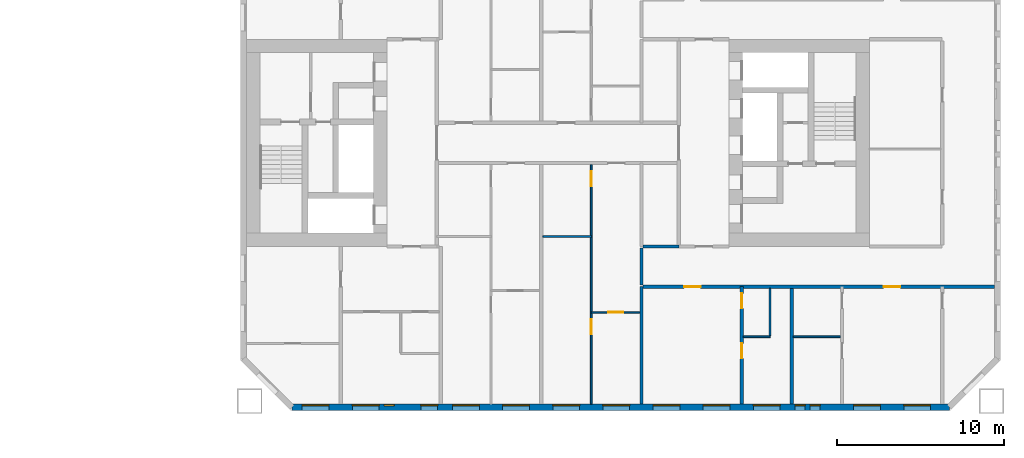
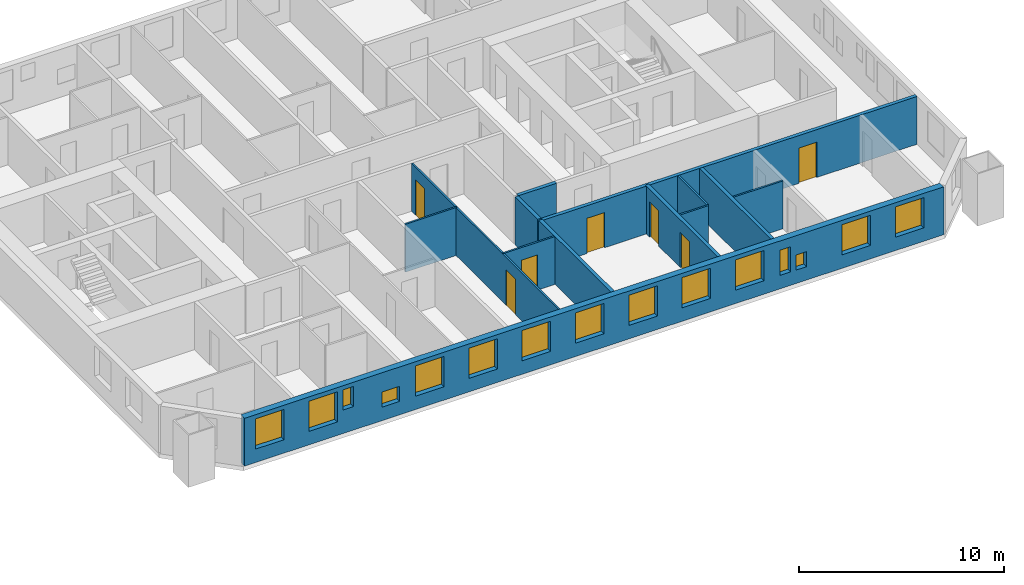
# One storey, part 11 of 17: 15 windows, 13 walls, 7 doors, 22 openings.
"""IFC4 building model written with IfcOpenShell, lengths in metres."""

import ifcopenshell
import ifcopenshell.guid

model = None  # the IFC model being written
_history = None  # IfcOwnerHistory: only IFC2X3 demands one
_inside = {}  # id of a spatial element -> (the spatial element, [elements in it])
_under = {}  # id of a project, library or spatial element -> (it, [spatial elements below it])
_declared = {}  # id of a project -> (the project, [libraries it declares])
_typed = {}  # id of a type object -> (the type object, [elements of that type])
_made_of = {}  # id of a material, layer set ... -> (it, [elements and type objects made of it])


def new_model(schema):
    """Start an empty IFC model of exactly this schema.

    Asked for "IFC4X3", IfcOpenShell would pick the latest addendum, in which some entities
    have other attributes; the version numbers below select the first issue.
    IFC2X3 requires an IfcOwnerHistory on every rooted entity: one is made here for all.
    """
    global model, _history
    if schema == "IFC4X3":
        model = ifcopenshell.file(schema_version=(4, 3, 0, 0))
    else:
        model = ifcopenshell.file(schema=schema)
    _inside.clear()
    _under.clear()
    _declared.clear()
    _typed.clear()
    _made_of.clear()
    _history = None
    if model.schema == "IFC2X3":
        org = make("IfcOrganization", Name="unknown")
        user = make(
            "IfcPersonAndOrganization",
            ThePerson=make("IfcPerson", FamilyName="unknown"),
            TheOrganization=org,
        )
        app = make(
            "IfcApplication",
            ApplicationDeveloper=org,
            Version="unknown",
            ApplicationFullName="unknown",
            ApplicationIdentifier="unknown",
        )
        _history = make(
            "IfcOwnerHistory",
            OwningUser=user,
            OwningApplication=app,
            ChangeAction="ADDED",
            CreationDate=0,
        )
    return model


def make(cls, **values):
    """One entity of the class cls with the attributes given. An attribute that is None is left unset."""
    return model.create_entity(
        cls, **{name: value for name, value in values.items() if value is not None}
    )


def rooted(cls, **values):
    """An entity with a GlobalId (a new one), such as an element, a storey or a relation."""
    return make(cls, GlobalId=ifcopenshell.guid.new(), OwnerHistory=_history, **values)


def si_unit(unit_type, name, prefix=None):
    """IfcSIUnit, for example si_unit("LENGTHUNIT", "METRE", prefix="MILLI")."""
    return make("IfcSIUnit", UnitType=unit_type, Prefix=prefix, Name=name)


def assignment(units):
    """IfcUnitAssignment: the units of a project."""
    return None if units is None else make("IfcUnitAssignment", Units=units)


def point(xyz):
    """IfcCartesianPoint."""
    return None if xyz is None else make("IfcCartesianPoint", Coordinates=xyz)


def direction(xyz):
    """IfcDirection."""
    return None if xyz is None else make("IfcDirection", DirectionRatios=xyz)


def frame(location, z_axis=None, x_axis=None):
    """IfcAxis2Placement3D, a coordinate frame: its origin and axes. An axis left out is left unset."""
    return make(
        "IfcAxis2Placement3D",
        Location=point(location),
        Axis=direction(z_axis),
        RefDirection=direction(x_axis),
    )


def frame_2d(location, x_axis=None):
    """IfcAxis2Placement2D, a coordinate frame in the plane: its origin and x axis."""
    return make(
        "IfcAxis2Placement2D", Location=point(location), RefDirection=direction(x_axis)
    )


def origin():
    """The frame at (0, 0, 0) with its axes left unset."""
    return frame((0.0, 0.0, 0.0))


def place(relative_to, where):
    """IfcLocalPlacement: puts the frame where relative to a parent placement (None: the world)."""
    return make(
        "IfcLocalPlacement", PlacementRelTo=relative_to, RelativePlacement=where
    )


def context(
    kind, dimensions, precision=None, world=None, true_north=None, identifier=None
):
    """IfcGeometricRepresentationContext, for example the 3D "Model" context."""
    return make(
        "IfcGeometricRepresentationContext",
        ContextIdentifier=identifier,
        ContextType=kind,
        CoordinateSpaceDimension=dimensions,
        Precision=precision,
        WorldCoordinateSystem=world,
        TrueNorth=true_north,
    )


def subcontext(parent, identifier, kind, view, scale=None):
    """IfcGeometricRepresentationSubContext, for example "Body" below "Model"."""
    return make(
        "IfcGeometricRepresentationSubContext",
        ContextIdentifier=identifier,
        ContextType=kind,
        ParentContext=parent,
        TargetScale=scale,
        TargetView=view,
    )


def project(units=None, contexts=None):
    """IfcProject with its units and contexts."""
    return rooted(
        "IfcProject",
        Name="project",
        RepresentationContexts=contexts,
        UnitsInContext=assignment(units),
    )


def spatial(cls, under=None, at=None, **own):
    """A site, building, storey or space (cls), placed at a placement, below another one or the project."""
    s = rooted(cls, ObjectPlacement=at, **own)
    if under is not None:
        _under.setdefault(under.id(), (under, []))[1].append(s)
    return s


def profile(cls, at=None, kind="AREA", **sizes):
    """A parametric profile (cls). Its sizes go by their IFC names, for example OverallWidth=200.0."""
    return make(cls, ProfileType=kind, Position=at, **sizes)


def rectangle(**sizes):
    """IfcRectangleProfileDef."""
    return profile("IfcRectangleProfileDef", **sizes)


def extrude(swept, where, along, depth):
    """IfcExtrudedAreaSolid: the profile swept, set in the frame where, extruded along a direction by depth."""
    return make(
        "IfcExtrudedAreaSolid",
        SweptArea=swept,
        Position=where,
        ExtrudedDirection=direction(along),
        Depth=depth,
    )


def shape(context_of_items, identifier, shape_type, items):
    """IfcShapeRepresentation: the items that make up one representation, for example the "Body"."""
    return make(
        "IfcShapeRepresentation",
        ContextOfItems=context_of_items,
        RepresentationIdentifier=identifier,
        RepresentationType=shape_type,
        Items=items,
    )


def material(Name=None, Category=None):
    """IfcMaterial."""
    return make("IfcMaterial", Name=Name, Category=Category)


def layer(
    of_material, thickness, ventilated=None, Name=None, Category=None, Priority=None
):
    """IfcMaterialLayer: one layer of a wall or slab, of a material (None: an air gap)."""
    return make(
        "IfcMaterialLayer",
        Material=of_material,
        LayerThickness=thickness,
        IsVentilated=ventilated,
        Name=Name,
        Category=Category,
        Priority=Priority,
    )


def layer_set(layers, Name=None):
    """IfcMaterialLayerSet."""
    return make("IfcMaterialLayerSet", MaterialLayers=layers, LayerSetName=Name)


def made_of(thing, what):
    """Note that an element or type object is made of a material, layer set ...; save() writes the relation."""
    if what is not None:
        _made_of.setdefault(what.id(), (what, []))[1].append(thing)
    return thing


def type_object(cls, material=None, **own):
    """A type object (cls), such as IfcWallType, which elements share."""
    return made_of(rooted(cls, **own), material)


def element(
    cls,
    number,
    at=None,
    inside=None,
    cuts=None,
    type_object=None,
    material=None,
    context=None,
    identifier="Body",
    shape_type=None,
    held_by="IfcProductDefinitionShape",
    body=None,
    shapes=None,
    **own,
):
    """One element of the class cls, such as IfcWall. Its Tag is "e" and its number.

    at: its placement. inside: the storey or other place that contains it. cuts: it is an
    opening in that element (IfcRelVoidsElement). A single representation is given by context,
    identifier, shape_type and body (its items); several are given by shapes. held_by: the class
    of the entity that holds the representations. save() writes the other relations.
    """
    e = rooted(cls, Tag="e%d" % number, ObjectPlacement=at, **own)
    if body is not None:
        shapes = [shape(context, identifier, shape_type, body)]
    if shapes is not None:
        e.Representation = make(held_by, Representations=shapes)
    if inside is not None:
        _inside.setdefault(inside.id(), (inside, []))[1].append(e)
    if cuts is not None:
        rooted(
            "IfcRelVoidsElement", RelatingBuildingElement=cuts, RelatedOpeningElement=e
        )
    if type_object is not None:
        _typed.setdefault(type_object.id(), (type_object, []))[1].append(e)
    return made_of(e, material)


def fill(opening, filler):
    """IfcRelFillsElement: the door or window that sits in an opening."""
    return rooted(
        "IfcRelFillsElement",
        RelatingOpeningElement=opening,
        RelatedBuildingElement=filler,
    )


def aggregate(whole, parts):
    """IfcRelAggregates: a whole, such as a stair, and the parts it consists of."""
    return rooted("IfcRelAggregates", RelatingObject=whole, RelatedObjects=parts)


def save(model, path):
    """Write the relations noted so far, then the file.

    IfcRelAggregates (storeys below a building ...), IfcRelContainedInSpatialStructure (elements
    in a storey), IfcRelDefinesByType, IfcRelAssociatesMaterial and IfcRelDeclares: one each for
    every whole, place, type object, material and project.
    """
    for whole, parts in _under.values():
        aggregate(whole, parts)
    for where, things in _inside.values():
        rooted(
            "IfcRelContainedInSpatialStructure",
            RelatedElements=things,
            RelatingStructure=where,
        )
    for kind, things in _typed.values():
        rooted("IfcRelDefinesByType", RelatedObjects=things, RelatingType=kind)
    for what, things in _made_of.values():
        rooted("IfcRelAssociatesMaterial", RelatedObjects=things, RelatingMaterial=what)
    for by, libraries in _declared.values():
        rooted("IfcRelDeclares", RelatingContext=by, RelatedDefinitions=libraries)
    model.write(path)


model = new_model("IFC4")

# Units and contexts
model_context = context("Model", 3, precision=1e-05, world=origin(), true_north=direction((0.0, 1.0)))
body_context = subcontext(model_context, "Body", "Model", "MODEL_VIEW")
ifc_project = project(units=[si_unit("LENGTHUNIT", "METRE"), si_unit("AREAUNIT", "SQUARE_METRE"), si_unit("VOLUMEUNIT", "CUBIC_METRE"), si_unit("PLANEANGLEUNIT", "RADIAN"), si_unit("MASSUNIT", "GRAM", prefix="KILO")], contexts=[model_context])

# Site, building, storey
site_placement = place(None, origin())
site = spatial("IfcSite", under=ifc_project, at=site_placement, CompositionType="ELEMENT")
building_placement = place(site_placement, origin())
building = spatial("IfcBuilding", under=site, at=building_placement, Name="Tuart Gate Housing", CompositionType="ELEMENT")
storey_placement = place(building_placement, frame((0.0, 0.0, 50.5)))
storey = spatial("IfcBuildingStorey", under=building, at=storey_placement, Name="L13", CompositionType="ELEMENT", Elevation=50.5)

# Wall, openings, windows
ifc_material_1 = material(Name="Brick", Category="masonry")
ifc_layer_1 = layer(ifc_material_1, 0.360107421875)
ifc_layer_set_1 = layer_set([ifc_layer_1], Name="Brick pier and spandrel wall 360")
wall_type_1 = type_object("IfcWallType", Name="Brick pier and spandrel wall 360", PredefinedType="STANDARD", material=ifc_layer_set_1)
wall_1_placement = place(storey_placement, frame((134.07470703125, 54.179931640625, 0.0), z_axis=(0.0, 0.0, 1.0), x_axis=(1.0, 0.0, 0.0)))
wall_1 = element("IfcWall", 1, at=wall_1_placement, inside=storey, type_object=wall_type_1, Name="External wall B-S L13", PredefinedType="STANDARD", context=body_context, shape_type="SweptSolid", body=[
    extrude(rectangle(XDim=39.350830078125, YDim=0.360107421875, at=frame_2d((19.67529296875, 0.0))), origin(), (0.0, 0.0, 1.0), 2.85009765625),
])
opening_1_placement = place(wall_1_placement, frame((0.62548828125, 0.0, 0.800048828125)))
opening_1 = element("IfcOpeningElement", 2, at=opening_1_placement, cuts=wall_1, Name="Opening W1", PredefinedType="OPENING", context=body_context, shape_type="SweptSolid", body=[
    extrude(rectangle(XDim=1.60009765625, YDim=1.800048828125, at=frame_2d((0.800048828125, 0.89990234375))), frame((0.0, 0.18994140625, 0.0), z_axis=(0.0, -1.0, 0.0), x_axis=(1.0, 0.0, 0.0)), (0.0, 0.0, 1.0), 0.380126953125),
])
opening_2_placement = place(wall_1_placement, frame((3.62548828125, 0.0, 0.800048828125)))
opening_2 = element("IfcOpeningElement", 3, at=opening_2_placement, cuts=wall_1, Name="Opening W1", PredefinedType="OPENING", context=body_context, shape_type="SweptSolid", body=[
    extrude(rectangle(XDim=1.60009765625, YDim=1.800048828125, at=frame_2d((0.800048828125, 0.89990234375))), frame((0.0, 0.18994140625, 0.0), z_axis=(0.0, -1.0, 0.0), x_axis=(1.0, 0.0, 0.0)), (0.0, 0.0, 1.0), 0.380126953125),
])
opening_3_placement = place(wall_1_placement, frame((5.525390625, 0.0, 1.39990234375)))
opening_3 = element("IfcOpeningElement", 4, at=opening_3_placement, cuts=wall_1, Name="Opening W1Q", PredefinedType="OPENING", context=body_context, shape_type="SweptSolid", body=[
    extrude(rectangle(XDim=0.60009765625, YDim=1.199951171875, at=frame_2d((0.300048828125, 0.60009765625))), frame((0.0, 0.18994140625, 0.0), z_axis=(0.0, -1.0, 0.0), x_axis=(1.0, 0.0, 0.0)), (0.0, 0.0, 1.0), 0.380126953125),
])
opening_4_placement = place(wall_1_placement, frame((9.62548828125, 0.0, 0.800048828125)))
opening_4 = element("IfcOpeningElement", 5, at=opening_4_placement, cuts=wall_1, Name="Opening W1", PredefinedType="OPENING", context=body_context, shape_type="SweptSolid", body=[
    extrude(rectangle(XDim=1.60009765625, YDim=1.800048828125, at=frame_2d((0.800048828125, 0.89990234375))), frame((0.0, 0.18994140625, 0.0), z_axis=(0.0, -1.0, 0.0), x_axis=(1.0, 0.0, 0.0)), (0.0, 0.0, 1.0), 0.380126953125),
])
opening_5_placement = place(wall_1_placement, frame((12.62548828125, 0.0, 0.800048828125)))
opening_5 = element("IfcOpeningElement", 6, at=opening_5_placement, cuts=wall_1, Name="Opening W1", PredefinedType="OPENING", context=body_context, shape_type="SweptSolid", body=[
    extrude(rectangle(XDim=1.60009765625, YDim=1.800048828125, at=frame_2d((0.800048828125, 0.89990234375))), frame((0.0, 0.18994140625, 0.0), z_axis=(0.0, -1.0, 0.0), x_axis=(1.0, 0.0, 0.0)), (0.0, 0.0, 1.0), 0.380126953125),
])
opening_6_placement = place(wall_1_placement, frame((15.62548828125, 0.0, 0.800048828125)))
opening_6 = element("IfcOpeningElement", 7, at=opening_6_placement, cuts=wall_1, Name="Opening W1", PredefinedType="OPENING", context=body_context, shape_type="SweptSolid", body=[
    extrude(rectangle(XDim=1.60009765625, YDim=1.800048828125, at=frame_2d((0.800048828125, 0.89990234375))), frame((0.0, 0.18994140625, 0.0), z_axis=(0.0, -1.0, 0.0), x_axis=(1.0, 0.0, 0.0)), (0.0, 0.0, 1.0), 0.380126953125),
])
opening_7_placement = place(wall_1_placement, frame((18.62548828125, 0.0, 0.800048828125)))
opening_7 = element("IfcOpeningElement", 8, at=opening_7_placement, cuts=wall_1, Name="Opening W1", PredefinedType="OPENING", context=body_context, shape_type="SweptSolid", body=[
    extrude(rectangle(XDim=1.60009765625, YDim=1.800048828125, at=frame_2d((0.800048828125, 0.89990234375))), frame((0.0, 0.18994140625, 0.0), z_axis=(0.0, -1.0, 0.0), x_axis=(1.0, 0.0, 0.0)), (0.0, 0.0, 1.0), 0.380126953125),
])
opening_8_placement = place(wall_1_placement, frame((21.62548828125, 0.0, 0.800048828125)))
opening_8 = element("IfcOpeningElement", 9, at=opening_8_placement, cuts=wall_1, Name="Opening W1", PredefinedType="OPENING", context=body_context, shape_type="SweptSolid", body=[
    extrude(rectangle(XDim=1.60009765625, YDim=1.800048828125, at=frame_2d((0.800048828125, 0.89990234375))), frame((0.0, 0.18994140625, 0.0), z_axis=(0.0, -1.0, 0.0), x_axis=(1.0, 0.0, 0.0)), (0.0, 0.0, 1.0), 0.380126953125),
])
opening_9_placement = place(wall_1_placement, frame((24.62548828125, 0.0, 0.800048828125)))
opening_9 = element("IfcOpeningElement", 10, at=opening_9_placement, cuts=wall_1, Name="Opening W1", PredefinedType="OPENING", context=body_context, shape_type="SweptSolid", body=[
    extrude(rectangle(XDim=1.60009765625, YDim=1.800048828125, at=frame_2d((0.800048828125, 0.89990234375))), frame((0.0, 0.18994140625, 0.0), z_axis=(0.0, -1.0, 0.0), x_axis=(1.0, 0.0, 0.0)), (0.0, 0.0, 1.0), 0.380126953125),
])
opening_10_placement = place(wall_1_placement, frame((27.62548828125, 0.0, 0.800048828125)))
opening_10 = element("IfcOpeningElement", 11, at=opening_10_placement, cuts=wall_1, Name="Opening W1", PredefinedType="OPENING", context=body_context, shape_type="SweptSolid", body=[
    extrude(rectangle(XDim=1.60009765625, YDim=1.800048828125, at=frame_2d((0.800048828125, 0.89990234375))), frame((0.0, 0.18994140625, 0.0), z_axis=(0.0, -1.0, 0.0), x_axis=(1.0, 0.0, 0.0)), (0.0, 0.0, 1.0), 0.380126953125),
])
opening_11_placement = place(wall_1_placement, frame((30.12548828125, 0.0, 0.800048828125)))
opening_11 = element("IfcOpeningElement", 12, at=opening_11_placement, cuts=wall_1, Name="Opening W1K", PredefinedType="OPENING", context=body_context, shape_type="SweptSolid", body=[
    extrude(rectangle(XDim=0.60009765625, YDim=1.5, at=frame_2d((0.300048828125, 0.75))), frame((0.0, 0.18994140625, 0.0), z_axis=(0.0, -1.0, 0.0), x_axis=(1.0, 0.0, 0.0)), (0.0, 0.0, 1.0), 0.380126953125),
])
opening_12_placement = place(wall_1_placement, frame((33.62548828125, 0.0, 0.800048828125)))
opening_12 = element("IfcOpeningElement", 13, at=opening_12_placement, cuts=wall_1, Name="Opening W1", PredefinedType="OPENING", context=body_context, shape_type="SweptSolid", body=[
    extrude(rectangle(XDim=1.60009765625, YDim=1.800048828125, at=frame_2d((0.800048828125, 0.89990234375))), frame((0.0, 0.18994140625, 0.0), z_axis=(0.0, -1.0, 0.0), x_axis=(1.0, 0.0, 0.0)), (0.0, 0.0, 1.0), 0.380126953125),
])
opening_13_placement = place(wall_1_placement, frame((36.62548828125, 0.0, 0.800048828125)))
opening_13 = element("IfcOpeningElement", 14, at=opening_13_placement, cuts=wall_1, Name="Opening W1", PredefinedType="OPENING", context=body_context, shape_type="SweptSolid", body=[
    extrude(rectangle(XDim=1.60009765625, YDim=1.800048828125, at=frame_2d((0.800048828125, 0.89990234375))), frame((0.0, 0.18994140625, 0.0), z_axis=(0.0, -1.0, 0.0), x_axis=(1.0, 0.0, 0.0)), (0.0, 0.0, 1.0), 0.380126953125),
])
opening_14_placement = place(wall_1_placement, frame((7.725341796875, 0.0, 0.800048828125)))
opening_14 = element("IfcOpeningElement", 15, at=opening_14_placement, cuts=wall_1, Name="Opening W1U", PredefinedType="OPENING", context=body_context, shape_type="SweptSolid", body=[
    extrude(rectangle(XDim=1.0, YDim=0.89990234375, at=frame_2d((0.5, 0.449951171875))), frame((0.0, 0.18994140625, 0.0), z_axis=(0.0, -1.0, 0.0), x_axis=(1.0, 0.0, 0.0)), (0.0, 0.0, 1.0), 0.380126953125),
])
opening_15_placement = place(wall_1_placement, frame((31.025390625, 0.0, 0.800048828125)))
opening_15 = element("IfcOpeningElement", 16, at=opening_15_placement, cuts=wall_1, Name="Opening W1W", PredefinedType="OPENING", context=body_context, shape_type="SweptSolid", body=[
    extrude(rectangle(XDim=0.60009765625, YDim=0.89990234375, at=frame_2d((0.300048828125, 0.449951171875))), frame((0.0, 0.18994140625, 0.0), z_axis=(0.0, -1.0, 0.0), x_axis=(1.0, 0.0, 0.0)), (0.0, 0.0, 1.0), 0.380126953125),
])
ifc_material_2 = material(Name="Aluminium frame with clear glass", Category="aluminium")
window_type_1 = type_object("IfcWindowType", Name="Punched window 1000 x 900", PartitioningType="SINGLE_PANEL", PredefinedType="WINDOW", material=ifc_material_2)
window_1_placement = place(opening_14_placement, origin())
window_1 = element("IfcWindow", 17, at=window_1_placement, inside=storey, type_object=window_type_1, Name="Window W1U", OverallHeight=0.89990234375, OverallWidth=1.0, PartitioningType="SINGLE_PANEL", PredefinedType="WINDOW", context=body_context, shape_type="SweptSolid", body=[
    extrude(rectangle(XDim=1.0, YDim=0.89990234375, at=frame_2d((0.5, 0.449951171875))), frame((0.0, 0.150146484375, 0.0), z_axis=(0.0, -1.0, 0.0), x_axis=(1.0, 0.0, 0.0)), (0.0, 0.0, 1.0), 0.06005859375),
])
fill(opening_14, window_1)
ifc_material_3 = material(Name="Aluminium frame with clear glass", Category="aluminium")
window_type_2 = type_object("IfcWindowType", Name="Punched window 1600 x 1800", PartitioningType="SINGLE_PANEL", PredefinedType="WINDOW", material=ifc_material_3)
window_2_placement = place(opening_1_placement, origin())
window_2 = element("IfcWindow", 18, at=window_2_placement, inside=storey, type_object=window_type_2, Name="Window W1", OverallHeight=1.800048828125, OverallWidth=1.60009765625, PartitioningType="SINGLE_PANEL", PredefinedType="WINDOW", context=body_context, shape_type="SweptSolid", body=[
    extrude(rectangle(XDim=1.60009765625, YDim=1.800048828125, at=frame_2d((0.800048828125, 0.89990234375))), frame((0.0, 0.150146484375, 0.0), z_axis=(0.0, -1.0, 0.0), x_axis=(1.0, 0.0, 0.0)), (0.0, 0.0, 1.0), 0.06005859375),
])
fill(opening_1, window_2)
window_3_placement = place(opening_2_placement, origin())
window_3 = element("IfcWindow", 19, at=window_3_placement, inside=storey, type_object=window_type_2, Name="Window W1", OverallHeight=1.800048828125, OverallWidth=1.60009765625, PartitioningType="SINGLE_PANEL", PredefinedType="WINDOW", context=body_context, shape_type="SweptSolid", body=[
    extrude(rectangle(XDim=1.60009765625, YDim=1.800048828125, at=frame_2d((0.800048828125, 0.89990234375))), frame((0.0, 0.150146484375, 0.0), z_axis=(0.0, -1.0, 0.0), x_axis=(1.0, 0.0, 0.0)), (0.0, 0.0, 1.0), 0.06005859375),
])
fill(opening_2, window_3)
window_4_placement = place(opening_4_placement, origin())
window_4 = element("IfcWindow", 20, at=window_4_placement, inside=storey, type_object=window_type_2, Name="Window W1", OverallHeight=1.800048828125, OverallWidth=1.60009765625, PartitioningType="SINGLE_PANEL", PredefinedType="WINDOW", context=body_context, shape_type="SweptSolid", body=[
    extrude(rectangle(XDim=1.60009765625, YDim=1.800048828125, at=frame_2d((0.800048828125, 0.89990234375))), frame((0.0, 0.150146484375, 0.0), z_axis=(0.0, -1.0, 0.0), x_axis=(1.0, 0.0, 0.0)), (0.0, 0.0, 1.0), 0.06005859375),
])
fill(opening_4, window_4)
window_5_placement = place(opening_5_placement, origin())
window_5 = element("IfcWindow", 21, at=window_5_placement, inside=storey, type_object=window_type_2, Name="Window W1", OverallHeight=1.800048828125, OverallWidth=1.60009765625, PartitioningType="SINGLE_PANEL", PredefinedType="WINDOW", context=body_context, shape_type="SweptSolid", body=[
    extrude(rectangle(XDim=1.60009765625, YDim=1.800048828125, at=frame_2d((0.800048828125, 0.89990234375))), frame((0.0, 0.150146484375, 0.0), z_axis=(0.0, -1.0, 0.0), x_axis=(1.0, 0.0, 0.0)), (0.0, 0.0, 1.0), 0.06005859375),
])
fill(opening_5, window_5)
window_6_placement = place(opening_6_placement, origin())
window_6 = element("IfcWindow", 22, at=window_6_placement, inside=storey, type_object=window_type_2, Name="Window W1", OverallHeight=1.800048828125, OverallWidth=1.60009765625, PartitioningType="SINGLE_PANEL", PredefinedType="WINDOW", context=body_context, shape_type="SweptSolid", body=[
    extrude(rectangle(XDim=1.60009765625, YDim=1.800048828125, at=frame_2d((0.800048828125, 0.89990234375))), frame((0.0, 0.150146484375, 0.0), z_axis=(0.0, -1.0, 0.0), x_axis=(1.0, 0.0, 0.0)), (0.0, 0.0, 1.0), 0.06005859375),
])
fill(opening_6, window_6)
window_7_placement = place(opening_7_placement, origin())
window_7 = element("IfcWindow", 23, at=window_7_placement, inside=storey, type_object=window_type_2, Name="Window W1", OverallHeight=1.800048828125, OverallWidth=1.60009765625, PartitioningType="SINGLE_PANEL", PredefinedType="WINDOW", context=body_context, shape_type="SweptSolid", body=[
    extrude(rectangle(XDim=1.60009765625, YDim=1.800048828125, at=frame_2d((0.800048828125, 0.89990234375))), frame((0.0, 0.150146484375, 0.0), z_axis=(0.0, -1.0, 0.0), x_axis=(1.0, 0.0, 0.0)), (0.0, 0.0, 1.0), 0.06005859375),
])
fill(opening_7, window_7)
window_8_placement = place(opening_8_placement, origin())
window_8 = element("IfcWindow", 24, at=window_8_placement, inside=storey, type_object=window_type_2, Name="Window W1", OverallHeight=1.800048828125, OverallWidth=1.60009765625, PartitioningType="SINGLE_PANEL", PredefinedType="WINDOW", context=body_context, shape_type="SweptSolid", body=[
    extrude(rectangle(XDim=1.60009765625, YDim=1.800048828125, at=frame_2d((0.800048828125, 0.89990234375))), frame((0.0, 0.150146484375, 0.0), z_axis=(0.0, -1.0, 0.0), x_axis=(1.0, 0.0, 0.0)), (0.0, 0.0, 1.0), 0.06005859375),
])
fill(opening_8, window_8)
window_9_placement = place(opening_9_placement, origin())
window_9 = element("IfcWindow", 25, at=window_9_placement, inside=storey, type_object=window_type_2, Name="Window W1", OverallHeight=1.800048828125, OverallWidth=1.60009765625, PartitioningType="SINGLE_PANEL", PredefinedType="WINDOW", context=body_context, shape_type="SweptSolid", body=[
    extrude(rectangle(XDim=1.60009765625, YDim=1.800048828125, at=frame_2d((0.800048828125, 0.89990234375))), frame((0.0, 0.150146484375, 0.0), z_axis=(0.0, -1.0, 0.0), x_axis=(1.0, 0.0, 0.0)), (0.0, 0.0, 1.0), 0.06005859375),
])
fill(opening_9, window_9)
window_10_placement = place(opening_10_placement, origin())
window_10 = element("IfcWindow", 26, at=window_10_placement, inside=storey, type_object=window_type_2, Name="Window W1", OverallHeight=1.800048828125, OverallWidth=1.60009765625, PartitioningType="SINGLE_PANEL", PredefinedType="WINDOW", context=body_context, shape_type="SweptSolid", body=[
    extrude(rectangle(XDim=1.60009765625, YDim=1.800048828125, at=frame_2d((0.800048828125, 0.89990234375))), frame((0.0, 0.150146484375, 0.0), z_axis=(0.0, -1.0, 0.0), x_axis=(1.0, 0.0, 0.0)), (0.0, 0.0, 1.0), 0.06005859375),
])
fill(opening_10, window_10)
window_11_placement = place(opening_12_placement, origin())
window_11 = element("IfcWindow", 27, at=window_11_placement, inside=storey, type_object=window_type_2, Name="Window W1", OverallHeight=1.800048828125, OverallWidth=1.60009765625, PartitioningType="SINGLE_PANEL", PredefinedType="WINDOW", context=body_context, shape_type="SweptSolid", body=[
    extrude(rectangle(XDim=1.60009765625, YDim=1.800048828125, at=frame_2d((0.800048828125, 0.89990234375))), frame((0.0, 0.150146484375, 0.0), z_axis=(0.0, -1.0, 0.0), x_axis=(1.0, 0.0, 0.0)), (0.0, 0.0, 1.0), 0.06005859375),
])
fill(opening_12, window_11)
window_12_placement = place(opening_13_placement, origin())
window_12 = element("IfcWindow", 28, at=window_12_placement, inside=storey, type_object=window_type_2, Name="Window W1", OverallHeight=1.800048828125, OverallWidth=1.60009765625, PartitioningType="SINGLE_PANEL", PredefinedType="WINDOW", context=body_context, shape_type="SweptSolid", body=[
    extrude(rectangle(XDim=1.60009765625, YDim=1.800048828125, at=frame_2d((0.800048828125, 0.89990234375))), frame((0.0, 0.150146484375, 0.0), z_axis=(0.0, -1.0, 0.0), x_axis=(1.0, 0.0, 0.0)), (0.0, 0.0, 1.0), 0.06005859375),
])
fill(opening_13, window_12)
ifc_material_4 = material(Name="Aluminium frame with clear glass", Category="aluminium")
window_type_3 = type_object("IfcWindowType", Name="Punched window 600 x 1200", PartitioningType="SINGLE_PANEL", PredefinedType="WINDOW", material=ifc_material_4)
window_13_placement = place(opening_3_placement, origin())
window_13 = element("IfcWindow", 29, at=window_13_placement, inside=storey, type_object=window_type_3, Name="Window W1Q", OverallHeight=1.199951171875, OverallWidth=0.60009765625, PartitioningType="SINGLE_PANEL", PredefinedType="WINDOW", context=body_context, shape_type="SweptSolid", body=[
    extrude(rectangle(XDim=0.60009765625, YDim=1.199951171875, at=frame_2d((0.300048828125, 0.60009765625))), frame((0.0, 0.150146484375, 0.0), z_axis=(0.0, -1.0, 0.0), x_axis=(1.0, 0.0, 0.0)), (0.0, 0.0, 1.0), 0.06005859375),
])
fill(opening_3, window_13)
ifc_material_5 = material(Name="Aluminium frame with clear glass", Category="aluminium")
window_type_4 = type_object("IfcWindowType", Name="Punched window 600 x 1500", PartitioningType="SINGLE_PANEL", PredefinedType="WINDOW", material=ifc_material_5)
window_14_placement = place(opening_11_placement, origin())
window_14 = element("IfcWindow", 30, at=window_14_placement, inside=storey, type_object=window_type_4, Name="Window W1K", OverallHeight=1.5, OverallWidth=0.60009765625, PartitioningType="SINGLE_PANEL", PredefinedType="WINDOW", context=body_context, shape_type="SweptSolid", body=[
    extrude(rectangle(XDim=0.60009765625, YDim=1.5, at=frame_2d((0.300048828125, 0.75))), frame((0.0, 0.150146484375, 0.0), z_axis=(0.0, -1.0, 0.0), x_axis=(1.0, 0.0, 0.0)), (0.0, 0.0, 1.0), 0.06005859375),
])
fill(opening_11, window_14)
ifc_material_6 = material(Name="Aluminium frame with clear glass", Category="aluminium")
window_type_5 = type_object("IfcWindowType", Name="Punched window 600 x 900", PartitioningType="SINGLE_PANEL", PredefinedType="WINDOW", material=ifc_material_6)
window_15_placement = place(opening_15_placement, origin())
window_15 = element("IfcWindow", 31, at=window_15_placement, inside=storey, type_object=window_type_5, Name="Window W1W", OverallHeight=0.89990234375, OverallWidth=0.60009765625, PartitioningType="SINGLE_PANEL", PredefinedType="WINDOW", context=body_context, shape_type="SweptSolid", body=[
    extrude(rectangle(XDim=0.60009765625, YDim=0.89990234375, at=frame_2d((0.300048828125, 0.449951171875))), frame((0.0, 0.150146484375, 0.0), z_axis=(0.0, -1.0, 0.0), x_axis=(1.0, 0.0, 0.0)), (0.0, 0.0, 1.0), 0.06005859375),
])
fill(opening_15, window_15)

# Wall, openings, doors
ifc_material_7 = material(Name="Concrete masonry 15 MPa", Category="masonry")
ifc_layer_2 = layer(ifc_material_7, 0.199951171875)
ifc_layer_set_2 = layer_set([ifc_layer_2], Name="Corridor wall masonry 200")
wall_type_2 = type_object("IfcWallType", Name="Corridor wall masonry 200", PredefinedType="PARTITIONING", material=ifc_layer_set_2)
wall_2_placement = place(storey_placement, frame((155.10009765625, 61.39990234375, 0.0), z_axis=(0.0, 0.0, 1.0), x_axis=(1.0, 0.0, 0.0)))
wall_2 = element("IfcWall", 32, at=wall_2_placement, inside=storey, type_object=wall_type_2, Name="Corridor wall masonry 200", PredefinedType="PARTITIONING", context=body_context, shape_type="SweptSolid", body=[
    extrude(rectangle(XDim=21.039794921875, YDim=0.199951171875, at=frame_2d((10.52001953125, 0.0))), origin(), (0.0, 0.0, 1.0), 2.85009765625),
])
opening_16_placement = place(wall_2_placement, frame((2.449951171875, 0.0, 0.0)))
opening_16 = element("IfcOpeningElement", 33, at=opening_16_placement, cuts=wall_2, Name="Opening D700", PredefinedType="OPENING", context=body_context, shape_type="SweptSolid", body=[
    extrude(rectangle(XDim=1.0, YDim=2.10009765625, at=frame_2d((0.5, 1.050048828125))), frame((0.0, 0.10986328125, 0.0), z_axis=(0.0, -1.0, 0.0), x_axis=(1.0, 0.0, 0.0)), (0.0, 0.0, 1.0), 0.219970703125),
])
opening_17_placement = place(wall_2_placement, frame((14.39990234375, 0.0, 0.0)))
opening_17 = element("IfcOpeningElement", 34, at=opening_17_placement, cuts=wall_2, Name="Opening D701", PredefinedType="OPENING", context=body_context, shape_type="SweptSolid", body=[
    extrude(rectangle(XDim=1.0, YDim=2.10009765625, at=frame_2d((0.5, 1.050048828125))), frame((0.0, 0.10986328125, 0.0), z_axis=(0.0, -1.0, 0.0), x_axis=(1.0, 0.0, 0.0)), (0.0, 0.0, 1.0), 0.219970703125),
])
ifc_material_8 = material(Name="Timber door leaf in steel frame", Category="steel")
door_type_1 = type_object("IfcDoorType", Name="Flat entrance door 1000", OperationType="SINGLE_SWING_LEFT", PredefinedType="DOOR", material=ifc_material_8)
door_1_placement = place(opening_16_placement, frame((1.0, 0.0, 0.0), z_axis=(0.0, 0.0, 1.0), x_axis=(-1.0, 0.0, 0.0)))
door_1 = element("IfcDoor", 35, at=door_1_placement, inside=storey, type_object=door_type_1, Name="Flat entrance door", OperationType="SINGLE_SWING_LEFT", OverallHeight=2.10009765625, OverallWidth=1.0, PredefinedType="DOOR", context=body_context, shape_type="SweptSolid", body=[
    extrude(rectangle(XDim=1.0, YDim=2.10009765625, at=frame_2d((0.5, 1.050048828125))), frame((0.0, 0.025146484375, 0.0), z_axis=(0.0, -1.0, 0.0), x_axis=(1.0, 0.0, 0.0)), (0.0, 0.0, 1.0), 0.050048828125),
])
fill(opening_16, door_1)
ifc_material_9 = material(Name="Timber door leaf in steel frame", Category="steel")
door_type_2 = type_object("IfcDoorType", Name="Flat entrance door 1000 RH", OperationType="SINGLE_SWING_RIGHT", PredefinedType="DOOR", material=ifc_material_9)
door_2_placement = place(opening_17_placement, frame((1.0, 0.0, 0.0), z_axis=(0.0, 0.0, 1.0), x_axis=(-1.0, 0.0, 0.0)))
door_2 = element("IfcDoor", 36, at=door_2_placement, inside=storey, type_object=door_type_2, Name="Flat entrance door", OperationType="SINGLE_SWING_RIGHT", OverallHeight=2.10009765625, OverallWidth=1.0, PredefinedType="DOOR", context=body_context, shape_type="SweptSolid", body=[
    extrude(rectangle(XDim=1.0, YDim=2.10009765625, at=frame_2d((0.5, 1.050048828125))), frame((0.0, 0.025146484375, 0.0), z_axis=(0.0, -1.0, 0.0), x_axis=(1.0, 0.0, 0.0)), (0.0, 0.0, 1.0), 0.050048828125),
])
fill(opening_17, door_2)

# Walls
wall_3_placement = place(storey_placement, frame((155.10009765625, 63.800048828125, 0.0), z_axis=(0.0, 0.0, 1.0), x_axis=(1.0, 0.0, 0.0)))
element("IfcWall", 37, at=wall_3_placement, inside=storey, type_object=wall_type_2, Name="Corridor wall masonry 200", PredefinedType="PARTITIONING", context=body_context, shape_type="SweptSolid", body=[
    extrude(rectangle(XDim=2.139892578125, YDim=0.199951171875, at=frame_2d((1.06982421875, 0.0))), origin(), (0.0, 0.0, 1.0), 2.85009765625),
])
wall_4_placement = place(storey_placement, frame((155.0, 61.5, 0.0), z_axis=(0.0, 0.0, 1.0), x_axis=(0.0, 1.0, 0.0)))
element("IfcWall", 38, at=wall_4_placement, inside=storey, type_object=wall_type_2, Name="Corridor wall masonry 200", PredefinedType="PARTITIONING", context=body_context, shape_type="SweptSolid", body=[
    extrude(rectangle(XDim=2.199951171875, YDim=0.199951171875, at=frame_2d((1.10009765625, 0.0))), origin(), (0.0, 0.0, 1.0), 2.85009765625),
])
ifc_material_10 = material(Name="Gypsum board on steel studs", Category="steel")
ifc_layer_3 = layer(ifc_material_10, 0.10009765625)
ifc_layer_set_3 = layer_set([ifc_layer_3], Name="Partition 100")
wall_type_3 = type_object("IfcWallType", Name="Partition 100", PredefinedType="PARTITIONING", material=ifc_layer_set_3)
wall_5_placement = place(storey_placement, frame((161.10009765625, 58.39990234375, 0.0), z_axis=(0.0, 0.0, 1.0), x_axis=(1.0, 0.0, 0.0)))
element("IfcWall", 39, at=wall_5_placement, inside=storey, type_object=wall_type_3, Name="Partition 100", PredefinedType="PARTITIONING", context=body_context, shape_type="SweptSolid", body=[
    extrude(rectangle(XDim=1.599853515625, YDim=0.10009765625, at=frame_2d((0.7998046875, 0.0))), origin(), (0.0, 0.0, 1.0), 2.85009765625),
])
wall_6_placement = place(storey_placement, frame((164.10009765625, 58.39990234375, 0.0), z_axis=(0.0, 0.0, 1.0), x_axis=(1.0, 0.0, 0.0)))
element("IfcWall", 40, at=wall_6_placement, inside=storey, type_object=wall_type_3, Name="Partition 100", PredefinedType="PARTITIONING", context=body_context, shape_type="SweptSolid", body=[
    extrude(rectangle(XDim=2.7998046875, YDim=0.10009765625, at=frame_2d((1.39990234375, 0.0))), origin(), (0.0, 0.0, 1.0), 2.85009765625),
])

# Wall, opening, door
wall_7_placement = place(storey_placement, frame((152.0, 59.860107421875, 0.0), z_axis=(0.0, 0.0, 1.0), x_axis=(1.0, 0.0, 0.0)))
wall_7 = element("IfcWall", 41, at=wall_7_placement, inside=storey, type_object=wall_type_3, Name="Partition 100", PredefinedType="PARTITIONING", context=body_context, shape_type="SweptSolid", body=[
    extrude(rectangle(XDim=2.89990234375, YDim=0.10009765625, at=frame_2d((1.449951171875, 0.0))), origin(), (0.0, 0.0, 1.0), 2.85009765625),
])
opening_18_placement = place(wall_7_placement, frame((1.0, 0.0, 0.0)))
opening_18 = element("IfcOpeningElement", 42, at=opening_18_placement, cuts=wall_7, Name="Opening D705", PredefinedType="OPENING", context=body_context, shape_type="SweptSolid", body=[
    extrude(rectangle(XDim=0.89990234375, YDim=2.10009765625, at=frame_2d((0.449951171875, 1.050048828125))), frame((0.0, 0.06005859375, 0.0), z_axis=(0.0, -1.0, 0.0), x_axis=(1.0, 0.0, 0.0)), (0.0, 0.0, 1.0), 0.1201171875),
])
ifc_material_11 = material(Name="Timber door leaf in steel frame", Category="steel")
door_type_3 = type_object("IfcDoorType", Name="Internal door 900", OperationType="SINGLE_SWING_LEFT", PredefinedType="DOOR", material=ifc_material_11)
door_3_placement = place(opening_18_placement, origin())
door_3 = element("IfcDoor", 43, at=door_3_placement, inside=storey, type_object=door_type_3, Name="Internal door", OperationType="SINGLE_SWING_LEFT", OverallHeight=2.10009765625, OverallWidth=0.89990234375, PredefinedType="DOOR", context=body_context, shape_type="SweptSolid", body=[
    extrude(rectangle(XDim=0.89990234375, YDim=2.10009765625, at=frame_2d((0.449951171875, 1.050048828125))), frame((0.0, 0.02490234375, 0.0), z_axis=(0.0, -1.0, 0.0), x_axis=(1.0, 0.0, 0.0)), (0.0, 0.0, 1.0), 0.050048828125),
])
fill(opening_18, door_3)

# Wall
wall_8_placement = place(storey_placement, frame((149.10009765625, 64.39990234375, 0.0), z_axis=(0.0, 0.0, 1.0), x_axis=(1.0, 0.0, 0.0)))
element("IfcWall", 44, at=wall_8_placement, inside=storey, type_object=wall_type_3, Name="Partition 100", PredefinedType="PARTITIONING", context=body_context, shape_type="SweptSolid", body=[
    extrude(rectangle(XDim=2.89990234375, YDim=0.10009765625, at=frame_2d((1.449951171875, 0.0))), origin(), (0.0, 0.0, 1.0), 2.85009765625),
])

# Wall, openings, doors
wall_9_placement = place(storey_placement, frame((152.0, 54.360107421875, 0.0), z_axis=(0.0, 0.0, 1.0), x_axis=(0.0, 1.0, 0.0)))
wall_9 = element("IfcWall", 45, at=wall_9_placement, inside=storey, type_object=wall_type_3, Name="Partition 100", PredefinedType="PARTITIONING", context=body_context, shape_type="SweptSolid", body=[
    extrude(rectangle(XDim=14.33984375, YDim=0.10009765625, at=frame_2d((7.169921875, 0.0))), origin(), (0.0, 0.0, 1.0), 2.85009765625),
])
opening_19_placement = place(wall_9_placement, frame((4.199951171875, 0.0, 0.0)))
opening_19 = element("IfcOpeningElement", 46, at=opening_19_placement, cuts=wall_9, Name="Opening D699", PredefinedType="OPENING", context=body_context, shape_type="SweptSolid", body=[
    extrude(rectangle(XDim=0.89990234375, YDim=2.10009765625, at=frame_2d((0.449951171875, 1.050048828125))), frame((0.0, 0.06005859375, 0.0), z_axis=(0.0, -1.0, 0.0), x_axis=(1.0, 0.0, 0.0)), (0.0, 0.0, 1.0), 0.1201171875),
])
opening_20_placement = place(wall_9_placement, frame((13.0400390625, 0.0, 0.0)))
opening_20 = element("IfcOpeningElement", 47, at=opening_20_placement, cuts=wall_9, Name="Opening D698", PredefinedType="OPENING", context=body_context, shape_type="SweptSolid", body=[
    extrude(rectangle(XDim=0.89990234375, YDim=2.10009765625, at=frame_2d((0.449951171875, 1.050048828125))), frame((0.0, 0.06005859375, 0.0), z_axis=(0.0, -1.0, 0.0), x_axis=(1.0, 0.0, 0.0)), (0.0, 0.0, 1.0), 0.1201171875),
])
ifc_material_12 = material(Name="Timber door leaf in steel frame", Category="steel")
door_type_4 = type_object("IfcDoorType", Name="Bathroom door 900 RH", OperationType="SINGLE_SWING_RIGHT", PredefinedType="DOOR", material=ifc_material_12)
door_4_placement = place(opening_20_placement, origin())
door_4 = element("IfcDoor", 48, at=door_4_placement, inside=storey, type_object=door_type_4, Name="Bathroom door", OperationType="SINGLE_SWING_RIGHT", OverallHeight=2.10009765625, OverallWidth=0.89990234375, PredefinedType="DOOR", context=body_context, shape_type="SweptSolid", body=[
    extrude(rectangle(XDim=0.89990234375, YDim=2.10009765625, at=frame_2d((0.449951171875, 1.050048828125))), frame((0.0, 0.02490234375, 0.0), z_axis=(0.0, -1.0, 0.0), x_axis=(1.0, 0.0, 0.0)), (0.0, 0.0, 1.0), 0.050048828125),
])
fill(opening_20, door_4)
door_5_placement = place(opening_19_placement, origin())
door_5 = element("IfcDoor", 49, at=door_5_placement, inside=storey, type_object=door_type_3, Name="Internal door", OperationType="SINGLE_SWING_LEFT", OverallHeight=2.10009765625, OverallWidth=0.89990234375, PredefinedType="DOOR", context=body_context, shape_type="SweptSolid", body=[
    extrude(rectangle(XDim=0.89990234375, YDim=2.10009765625, at=frame_2d((0.449951171875, 1.050048828125))), frame((0.0, 0.02490234375, 0.0), z_axis=(0.0, -1.0, 0.0), x_axis=(1.0, 0.0, 0.0)), (0.0, 0.0, 1.0), 0.050048828125),
])
fill(opening_19, door_5)

# Walls
wall_10_placement = place(storey_placement, frame((162.699951171875, 58.449951171875, 0.0), z_axis=(0.0, 0.0, 1.0), x_axis=(0.0, 1.0, 0.0)))
element("IfcWall", 50, at=wall_10_placement, inside=storey, type_object=wall_type_3, Name="Partition 100", PredefinedType="PARTITIONING", context=body_context, shape_type="SweptSolid", body=[
    extrude(rectangle(XDim=2.85009765625, YDim=0.10009765625, at=frame_2d((1.425048828125, 0.0))), origin(), (0.0, 0.0, 1.0), 2.85009765625),
])
ifc_material_13 = material(Name="Concrete C40", Category="concrete")
ifc_layer_4 = layer(ifc_material_13, 0.199951171875)
ifc_layer_set_4 = layer_set([ifc_layer_4], Name="Party wall concrete C40 200")
wall_type_4 = type_object("IfcWallType", Name="Party wall concrete C40 200", PredefinedType="SOLIDWALL", material=ifc_layer_set_4)
wall_11_placement = place(storey_placement, frame((155.0, 54.360107421875, 0.0), z_axis=(0.0, 0.0, 1.0), x_axis=(0.0, 1.0, 0.0)))
element("IfcWall", 51, at=wall_11_placement, inside=storey, type_object=wall_type_4, Name="Party wall concrete C40 200", PredefinedType="SOLIDWALL", context=body_context, shape_type="SweptSolid", body=[
    extrude(rectangle(XDim=7.039794921875, YDim=0.199951171875, at=frame_2d((3.52001953125, 0.0))), origin(), (0.0, 0.0, 1.0), 2.85009765625),
])

# Wall, openings, doors
wall_12_placement = place(storey_placement, frame((161.0, 54.360107421875, 0.0), z_axis=(0.0, 0.0, 1.0), x_axis=(0.0, 1.0, 0.0)))
wall_12 = element("IfcWall", 52, at=wall_12_placement, inside=storey, type_object=wall_type_4, Name="Party wall concrete C40 200", PredefinedType="SOLIDWALL", context=body_context, shape_type="SweptSolid", body=[
    extrude(rectangle(XDim=7.039794921875, YDim=0.199951171875, at=frame_2d((3.52001953125, 0.0))), origin(), (0.0, 0.0, 1.0), 2.85009765625),
])
opening_21_placement = place(wall_12_placement, frame((2.739990234375, 0.0, 0.0)))
opening_21 = element("IfcOpeningElement", 53, at=opening_21_placement, cuts=wall_12, Name="Opening D709", PredefinedType="OPENING", context=body_context, shape_type="SweptSolid", body=[
    extrude(rectangle(XDim=0.89990234375, YDim=2.10009765625, at=frame_2d((0.449951171875, 1.050048828125))), frame((0.0, 0.10986328125, 0.0), z_axis=(0.0, -1.0, 0.0), x_axis=(1.0, 0.0, 0.0)), (0.0, 0.0, 1.0), 0.219970703125),
])
opening_22_placement = place(wall_12_placement, frame((5.739990234375, 0.0, 0.0)))
opening_22 = element("IfcOpeningElement", 54, at=opening_22_placement, cuts=wall_12, Name="Opening D708", PredefinedType="OPENING", context=body_context, shape_type="SweptSolid", body=[
    extrude(rectangle(XDim=0.89990234375, YDim=2.10009765625, at=frame_2d((0.449951171875, 1.050048828125))), frame((0.0, 0.10986328125, 0.0), z_axis=(0.0, -1.0, 0.0), x_axis=(1.0, 0.0, 0.0)), (0.0, 0.0, 1.0), 0.219970703125),
])
ifc_material_14 = material(Name="Timber door leaf in steel frame", Category="steel")
door_type_5 = type_object("IfcDoorType", Name="Bathroom door 900", OperationType="SINGLE_SWING_LEFT", PredefinedType="DOOR", material=ifc_material_14)
door_6_placement = place(opening_22_placement, frame((0.89990234375, 0.0, 0.0), z_axis=(0.0, 0.0, 1.0), x_axis=(-1.0, 0.0, 0.0)))
door_6 = element("IfcDoor", 55, at=door_6_placement, inside=storey, type_object=door_type_5, Name="Bathroom door", OperationType="SINGLE_SWING_LEFT", OverallHeight=2.10009765625, OverallWidth=0.89990234375, PredefinedType="DOOR", context=body_context, shape_type="SweptSolid", body=[
    extrude(rectangle(XDim=0.89990234375, YDim=2.10009765625, at=frame_2d((0.449951171875, 1.050048828125))), frame((0.0, 0.025146484375, 0.0), z_axis=(0.0, -1.0, 0.0), x_axis=(1.0, 0.0, 0.0)), (0.0, 0.0, 1.0), 0.050048828125),
])
fill(opening_22, door_6)
door_7_placement = place(opening_21_placement, frame((0.89990234375, 0.0, 0.0), z_axis=(0.0, 0.0, 1.0), x_axis=(-1.0, 0.0, 0.0)))
door_7 = element("IfcDoor", 56, at=door_7_placement, inside=storey, type_object=door_type_3, Name="Internal door", OperationType="SINGLE_SWING_LEFT", OverallHeight=2.10009765625, OverallWidth=0.89990234375, PredefinedType="DOOR", context=body_context, shape_type="SweptSolid", body=[
    extrude(rectangle(XDim=0.89990234375, YDim=2.10009765625, at=frame_2d((0.449951171875, 1.050048828125))), frame((0.0, 0.025146484375, 0.0), z_axis=(0.0, -1.0, 0.0), x_axis=(1.0, 0.0, 0.0)), (0.0, 0.0, 1.0), 0.050048828125),
])
fill(opening_21, door_7)

# Wall
ifc_material_15 = material(Name="Concrete masonry 15 MPa", Category="masonry")
ifc_layer_5 = layer(ifc_material_15, 0.199951171875)
ifc_layer_set_5 = layer_set([ifc_layer_5], Name="Party wall masonry 200")
wall_type_5 = type_object("IfcWallType", Name="Party wall masonry 200", PredefinedType="PARTITIONING", material=ifc_layer_set_5)
wall_13_placement = place(storey_placement, frame((164.0, 54.360107421875, 0.0), z_axis=(0.0, 0.0, 1.0), x_axis=(0.0, 1.0, 0.0)))
element("IfcWall", 57, at=wall_13_placement, inside=storey, type_object=wall_type_5, Name="Party wall masonry 200", PredefinedType="PARTITIONING", context=body_context, shape_type="SweptSolid", body=[
    extrude(rectangle(XDim=6.93994140625, YDim=0.199951171875, at=frame_2d((3.469970703125, 0.0))), origin(), (0.0, 0.0, 1.0), 2.85009765625),
])

save(model, "model.ifc")
